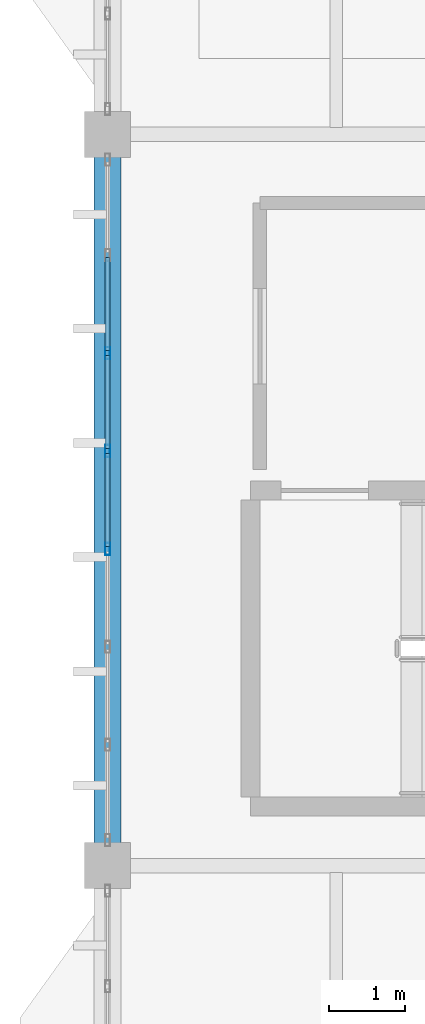
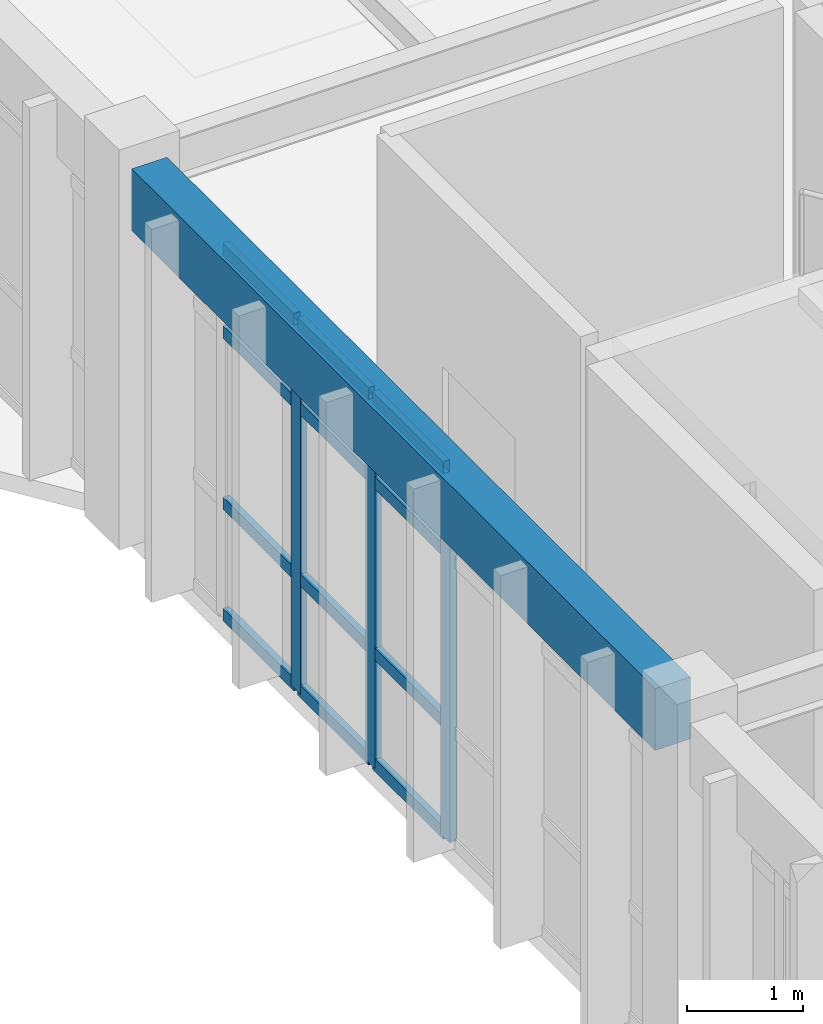
# One storey, part 9 of 37: 15 members, 1 beam, 1 element without a shape of its own.
"""IFC4 building model written with IfcOpenShell, lengths in metres."""

from ifc_helpers import new_model, si_unit, direction, frame, origin, origin_2d, place, context, subcontext, project, spatial, rectangle, hollow_rectangle, extrude, material, layer, layer_set, material_profile, profile_set, type_object, element, aggregate, save


model = new_model("IFC4")

# Units and contexts
model_context = context("Model", 3, precision=1e-05, world=origin(), true_north=direction((0.0, 1.0)))
body_context = subcontext(model_context, "Body", "Model", "MODEL_VIEW")
ifc_project = project(units=[si_unit("LENGTHUNIT", "METRE"), si_unit("AREAUNIT", "SQUARE_METRE"), si_unit("VOLUMEUNIT", "CUBIC_METRE"), si_unit("PLANEANGLEUNIT", "RADIAN"), si_unit("MASSUNIT", "GRAM", prefix="KILO")], contexts=[model_context])

# Site, building, storey
site_placement = place(None, origin())
site = spatial("IfcSite", under=ifc_project, at=site_placement, CompositionType="ELEMENT")
building_placement = place(site_placement, origin())
building = spatial("IfcBuilding", under=site, at=building_placement, Name="Pandanus Reach Market Hall", CompositionType="ELEMENT")
storey_placement = place(building_placement, frame((0.0, 0.0, 14.39990234375)))
storey = spatial("IfcBuildingStorey", under=building, at=storey_placement, Name="L03", CompositionType="ELEMENT", Elevation=14.39990234375)

# Beam
ifc_material_1 = material(Name="Concrete N40 (40 MPa)", Category="concrete")
ifc_material_profile_1 = material_profile(ifc_material_1, rectangle(XDim=0.35009765625, YDim=0.64990234375, at=origin_2d()), Name="RC350x650", Category="LoadBearing")
ifc_profile_set_1 = profile_set([ifc_material_profile_1], Name="Concrete N40 (40 MPa)")
beam_type = type_object("IfcBeamType", Name="BM-RC350-E", PredefinedType="SPANDREL", material=ifc_profile_set_1)
beam_placement = place(storey_placement, frame((144.0, 48.298095703125, 3.635009765625), z_axis=(0.0, 1.0, 0.0), x_axis=(-1.0, 0.0, 0.0)))
element("IfcBeam", 1, at=beam_placement, inside=storey, type_object=beam_type, Name="Framing beam BM-RC350-E L03.556", PredefinedType="SPANDREL", context=body_context, shape_type="SweptSolid", body=[
    extrude(rectangle(XDim=0.35009765625, YDim=0.64990234375, at=origin_2d()), origin(), (0.0, 0.0, 1.0), 9.00390625),
])

# Curtain wall, members
ifc_material_2 = material(Name="Bronze anodised aluminium and low-E glass", Category="aluminium")
ifc_layer = layer(ifc_material_2, 0.159912109375, Name="CW-33")
ifc_layer_set = layer_set([ifc_layer], Name="Bronze anodised aluminium and low-E glass")
curtain_wall_type = type_object("IfcCurtainWallType", Name="CW-33", PredefinedType="NOTDEFINED", material=ifc_layer_set)
curtain_wall_placement = place(storey_placement, origin())
curtain_wall = element("IfcCurtainWall", 2, at=curtain_wall_placement, inside=storey, type_object=curtain_wall_type, Name="Glazed curtain wall CW-33 CW-0124", PredefinedType="NOTDEFINED")
ifc_material_3 = material(Name="Bronze anodised aluminium", Category="aluminium")
ifc_material_profile_2 = material_profile(ifc_material_3, hollow_rectangle(XDim=0.06494140625, YDim=0.159912109375, WallThickness=0.00390625, at=origin_2d()), Name="ALU65x160", Category="LoadBearing")
ifc_profile_set_2 = profile_set([ifc_material_profile_2], Name="Bronze anodised aluminium")
member_type_1 = type_object("IfcMemberType", Name="CW-M1", PredefinedType="MULLION", material=ifc_profile_set_2)
member_1_placement = place(storey_placement, frame((144.0, 52.1572265625, 0.0), z_axis=(0.0, 0.0, 1.0), x_axis=(-1.0, 0.0, 0.0)))
member_1 = element("IfcMember", 3, at=member_1_placement, type_object=member_type_1, Name="CW-33 mullion 4", PredefinedType="MULLION", context=body_context, shape_type="SweptSolid", body=[
    extrude(hollow_rectangle(XDim=0.06494140625, YDim=0.159912109375, WallThickness=0.00390625, at=origin_2d()), origin(), (0.0, 0.0, 1.0), 3.900146484375),
])
member_2_placement = place(storey_placement, frame((144.0, 53.44287109375, 0.0), z_axis=(0.0, 0.0, 1.0), x_axis=(-1.0, 0.0, 0.0)))
member_2 = element("IfcMember", 4, at=member_2_placement, type_object=member_type_1, Name="CW-33 mullion 5", PredefinedType="MULLION", context=body_context, shape_type="SweptSolid", body=[
    extrude(hollow_rectangle(XDim=0.06494140625, YDim=0.159912109375, WallThickness=0.00390625, at=origin_2d()), origin(), (0.0, 0.0, 1.0), 3.900146484375),
])
member_3_placement = place(storey_placement, frame((144.0, 54.728515625, 0.0), z_axis=(0.0, 0.0, 1.0), x_axis=(-1.0, 0.0, 0.0)))
member_3 = element("IfcMember", 5, at=member_3_placement, type_object=member_type_1, Name="CW-33 mullion 6", PredefinedType="MULLION", context=body_context, shape_type="SweptSolid", body=[
    extrude(hollow_rectangle(XDim=0.06494140625, YDim=0.159912109375, WallThickness=0.00390625, at=origin_2d()), origin(), (0.0, 0.0, 1.0), 3.900146484375),
])
ifc_material_profile_3 = material_profile(ifc_material_3, hollow_rectangle(XDim=0.06494140625, YDim=0.1298828125, WallThickness=0.00390625, at=origin_2d()), Name="ALU65x130", Category="LoadBearing")
ifc_profile_set_3 = profile_set([ifc_material_profile_3], Name="Bronze anodised aluminium")
member_type_2 = type_object("IfcMemberType", Name="CW-T1", PredefinedType="USERDEFINED", material=ifc_profile_set_3)
member_4_placement = place(storey_placement, frame((144.0, 52.189697265625, 0.03271484375), z_axis=(0.0, 1.0, 0.0), x_axis=(-1.0, 0.0, 0.0)))
member_4 = element("IfcMember", 6, at=member_4_placement, type_object=member_type_2, Name="CW-33 transom 4.1", ObjectType="TRANSOM", PredefinedType="USERDEFINED", context=body_context, shape_type="SweptSolid", body=[
    extrude(hollow_rectangle(XDim=0.06494140625, YDim=0.1298828125, WallThickness=0.00390625, at=origin_2d()), origin(), (0.0, 0.0, 1.0), 1.220703125),
])
member_5_placement = place(storey_placement, frame((144.0, 52.189697265625, 1.2001953125), z_axis=(0.0, 1.0, 0.0), x_axis=(-1.0, 0.0, 0.0)))
member_5 = element("IfcMember", 7, at=member_5_placement, type_object=member_type_2, Name="CW-33 transom 4.2", ObjectType="TRANSOM", PredefinedType="USERDEFINED", context=body_context, shape_type="SweptSolid", body=[
    extrude(hollow_rectangle(XDim=0.06494140625, YDim=0.1298828125, WallThickness=0.00390625, at=origin_2d()), origin(), (0.0, 0.0, 1.0), 1.220703125),
])
member_6_placement = place(storey_placement, frame((144.0, 52.189697265625, 3.0), z_axis=(0.0, 1.0, 0.0), x_axis=(-1.0, 0.0, 0.0)))
member_6 = element("IfcMember", 8, at=member_6_placement, type_object=member_type_2, Name="CW-33 transom 4.3", ObjectType="TRANSOM", PredefinedType="USERDEFINED", context=body_context, shape_type="SweptSolid", body=[
    extrude(hollow_rectangle(XDim=0.06494140625, YDim=0.1298828125, WallThickness=0.00390625, at=origin_2d()), origin(), (0.0, 0.0, 1.0), 1.220703125),
])
member_7_placement = place(storey_placement, frame((144.0, 52.189697265625, 3.86767578125), z_axis=(0.0, 1.0, 0.0), x_axis=(-1.0, 0.0, 0.0)))
member_7 = element("IfcMember", 9, at=member_7_placement, type_object=member_type_2, Name="CW-33 transom 4.4", ObjectType="TRANSOM", PredefinedType="USERDEFINED", context=body_context, shape_type="SweptSolid", body=[
    extrude(hollow_rectangle(XDim=0.06494140625, YDim=0.1298828125, WallThickness=0.00390625, at=origin_2d()), origin(), (0.0, 0.0, 1.0), 1.220703125),
])
member_8_placement = place(storey_placement, frame((144.0, 53.475341796875, 0.03271484375), z_axis=(0.0, 1.0, 0.0), x_axis=(-1.0, 0.0, 0.0)))
member_8 = element("IfcMember", 10, at=member_8_placement, type_object=member_type_2, Name="CW-33 transom 5.1", ObjectType="TRANSOM", PredefinedType="USERDEFINED", context=body_context, shape_type="SweptSolid", body=[
    extrude(hollow_rectangle(XDim=0.06494140625, YDim=0.1298828125, WallThickness=0.00390625, at=origin_2d()), origin(), (0.0, 0.0, 1.0), 1.220703125),
])
member_9_placement = place(storey_placement, frame((144.0, 53.475341796875, 1.2001953125), z_axis=(0.0, 1.0, 0.0), x_axis=(-1.0, 0.0, 0.0)))
member_9 = element("IfcMember", 11, at=member_9_placement, type_object=member_type_2, Name="CW-33 transom 5.2", ObjectType="TRANSOM", PredefinedType="USERDEFINED", context=body_context, shape_type="SweptSolid", body=[
    extrude(hollow_rectangle(XDim=0.06494140625, YDim=0.1298828125, WallThickness=0.00390625, at=origin_2d()), origin(), (0.0, 0.0, 1.0), 1.220703125),
])
member_10_placement = place(storey_placement, frame((144.0, 53.475341796875, 3.0), z_axis=(0.0, 1.0, 0.0), x_axis=(-1.0, 0.0, 0.0)))
member_10 = element("IfcMember", 12, at=member_10_placement, type_object=member_type_2, Name="CW-33 transom 5.3", ObjectType="TRANSOM", PredefinedType="USERDEFINED", context=body_context, shape_type="SweptSolid", body=[
    extrude(hollow_rectangle(XDim=0.06494140625, YDim=0.1298828125, WallThickness=0.00390625, at=origin_2d()), origin(), (0.0, 0.0, 1.0), 1.220703125),
])
member_11_placement = place(storey_placement, frame((144.0, 53.475341796875, 3.86767578125), z_axis=(0.0, 1.0, 0.0), x_axis=(-1.0, 0.0, 0.0)))
member_11 = element("IfcMember", 13, at=member_11_placement, type_object=member_type_2, Name="CW-33 transom 5.4", ObjectType="TRANSOM", PredefinedType="USERDEFINED", context=body_context, shape_type="SweptSolid", body=[
    extrude(hollow_rectangle(XDim=0.06494140625, YDim=0.1298828125, WallThickness=0.00390625, at=origin_2d()), origin(), (0.0, 0.0, 1.0), 1.220703125),
])
member_12_placement = place(storey_placement, frame((144.0, 54.760986328125, 0.03271484375), z_axis=(0.0, 1.0, 0.0), x_axis=(-1.0, 0.0, 0.0)))
member_12 = element("IfcMember", 14, at=member_12_placement, type_object=member_type_2, Name="CW-33 transom 6.1", ObjectType="TRANSOM", PredefinedType="USERDEFINED", context=body_context, shape_type="SweptSolid", body=[
    extrude(hollow_rectangle(XDim=0.06494140625, YDim=0.1298828125, WallThickness=0.00390625, at=origin_2d()), origin(), (0.0, 0.0, 1.0), 1.220703125),
])
member_13_placement = place(storey_placement, frame((144.0, 54.760986328125, 1.2001953125), z_axis=(0.0, 1.0, 0.0), x_axis=(-1.0, 0.0, 0.0)))
member_13 = element("IfcMember", 15, at=member_13_placement, type_object=member_type_2, Name="CW-33 transom 6.2", ObjectType="TRANSOM", PredefinedType="USERDEFINED", context=body_context, shape_type="SweptSolid", body=[
    extrude(hollow_rectangle(XDim=0.06494140625, YDim=0.1298828125, WallThickness=0.00390625, at=origin_2d()), origin(), (0.0, 0.0, 1.0), 1.220703125),
])
member_14_placement = place(storey_placement, frame((144.0, 54.760986328125, 3.0), z_axis=(0.0, 1.0, 0.0), x_axis=(-1.0, 0.0, 0.0)))
member_14 = element("IfcMember", 16, at=member_14_placement, type_object=member_type_2, Name="CW-33 transom 6.3", ObjectType="TRANSOM", PredefinedType="USERDEFINED", context=body_context, shape_type="SweptSolid", body=[
    extrude(hollow_rectangle(XDim=0.06494140625, YDim=0.1298828125, WallThickness=0.00390625, at=origin_2d()), origin(), (0.0, 0.0, 1.0), 1.220703125),
])
member_15_placement = place(storey_placement, frame((144.0, 54.760986328125, 3.86767578125), z_axis=(0.0, 1.0, 0.0), x_axis=(-1.0, 0.0, 0.0)))
member_15 = element("IfcMember", 17, at=member_15_placement, type_object=member_type_2, Name="CW-33 transom 6.4", ObjectType="TRANSOM", PredefinedType="USERDEFINED", context=body_context, shape_type="SweptSolid", body=[
    extrude(hollow_rectangle(XDim=0.06494140625, YDim=0.1298828125, WallThickness=0.00390625, at=origin_2d()), origin(), (0.0, 0.0, 1.0), 1.220703125),
])
aggregate(curtain_wall, [member_1, member_2, member_3, member_4, member_5, member_6, member_7, member_8, member_9, member_10, member_11, member_12, member_13, member_14, member_15])

save(model, "model.ifc")
